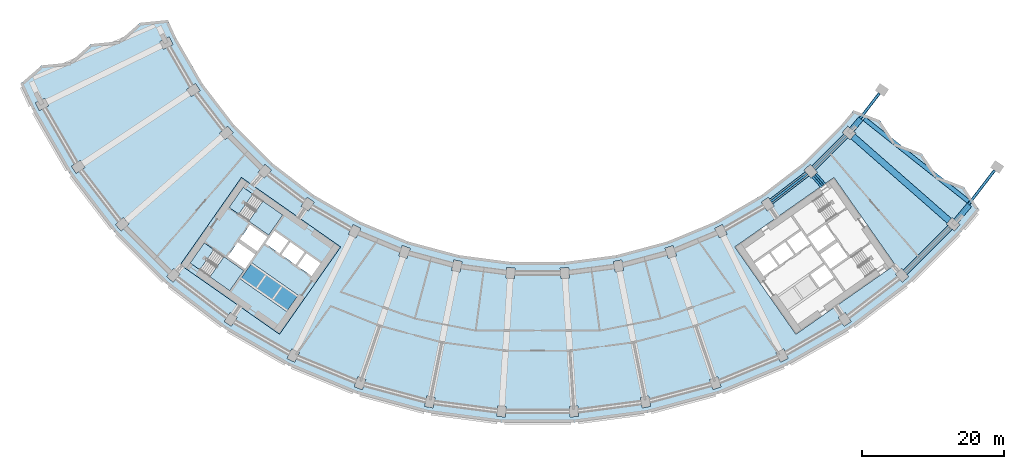
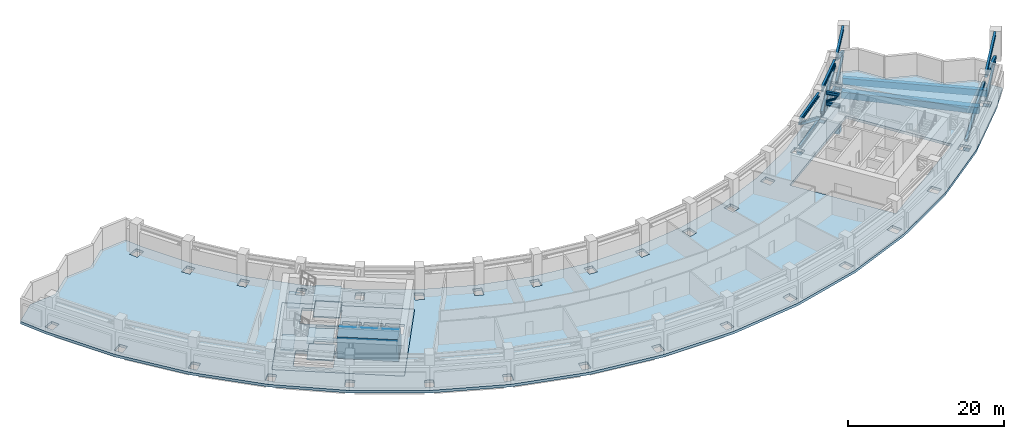
# One storey, part 4 of 25: 16 members, 9 slabs, 8 beams, 2 elements without a shape of their own.
"""IFC4 building model written with IfcOpenShell, lengths in metres."""

import ifcopenshell
import ifcopenshell.guid

model = None  # the IFC model being written
_history = None  # IfcOwnerHistory: only IFC2X3 demands one
_inside = {}  # id of a spatial element -> (the spatial element, [elements in it])
_under = {}  # id of a project, library or spatial element -> (it, [spatial elements below it])
_declared = {}  # id of a project -> (the project, [libraries it declares])
_typed = {}  # id of a type object -> (the type object, [elements of that type])
_made_of = {}  # id of a material, layer set ... -> (it, [elements and type objects made of it])


def new_model(schema):
    """Start an empty IFC model of exactly this schema.

    Asked for "IFC4X3", IfcOpenShell would pick the latest addendum, in which some entities
    have other attributes; the version numbers below select the first issue.
    IFC2X3 requires an IfcOwnerHistory on every rooted entity: one is made here for all.
    """
    global model, _history
    if schema == "IFC4X3":
        model = ifcopenshell.file(schema_version=(4, 3, 0, 0))
    else:
        model = ifcopenshell.file(schema=schema)
    _inside.clear()
    _under.clear()
    _declared.clear()
    _typed.clear()
    _made_of.clear()
    _history = None
    if model.schema == "IFC2X3":
        org = make("IfcOrganization", Name="unknown")
        user = make(
            "IfcPersonAndOrganization",
            ThePerson=make("IfcPerson", FamilyName="unknown"),
            TheOrganization=org,
        )
        app = make(
            "IfcApplication",
            ApplicationDeveloper=org,
            Version="unknown",
            ApplicationFullName="unknown",
            ApplicationIdentifier="unknown",
        )
        _history = make(
            "IfcOwnerHistory",
            OwningUser=user,
            OwningApplication=app,
            ChangeAction="ADDED",
            CreationDate=0,
        )
    return model


def make(cls, **values):
    """One entity of the class cls with the attributes given. An attribute that is None is left unset."""
    return model.create_entity(
        cls, **{name: value for name, value in values.items() if value is not None}
    )


def rooted(cls, **values):
    """An entity with a GlobalId (a new one), such as an element, a storey or a relation."""
    return make(cls, GlobalId=ifcopenshell.guid.new(), OwnerHistory=_history, **values)


def si_unit(unit_type, name, prefix=None):
    """IfcSIUnit, for example si_unit("LENGTHUNIT", "METRE", prefix="MILLI")."""
    return make("IfcSIUnit", UnitType=unit_type, Prefix=prefix, Name=name)


def assignment(units):
    """IfcUnitAssignment: the units of a project."""
    return None if units is None else make("IfcUnitAssignment", Units=units)


def point(xyz):
    """IfcCartesianPoint."""
    return None if xyz is None else make("IfcCartesianPoint", Coordinates=xyz)


def direction(xyz):
    """IfcDirection."""
    return None if xyz is None else make("IfcDirection", DirectionRatios=xyz)


def frame(location, z_axis=None, x_axis=None):
    """IfcAxis2Placement3D, a coordinate frame: its origin and axes. An axis left out is left unset."""
    return make(
        "IfcAxis2Placement3D",
        Location=point(location),
        Axis=direction(z_axis),
        RefDirection=direction(x_axis),
    )


def frame_2d(location, x_axis=None):
    """IfcAxis2Placement2D, a coordinate frame in the plane: its origin and x axis."""
    return make(
        "IfcAxis2Placement2D", Location=point(location), RefDirection=direction(x_axis)
    )


def origin():
    """The frame at (0, 0, 0) with its axes left unset."""
    return frame((0.0, 0.0, 0.0))


def origin_2d():
    """The frame at (0, 0) in the plane with its x axis left unset."""
    return frame_2d((0.0, 0.0))


def place(relative_to, where):
    """IfcLocalPlacement: puts the frame where relative to a parent placement (None: the world)."""
    return make(
        "IfcLocalPlacement", PlacementRelTo=relative_to, RelativePlacement=where
    )


def context(
    kind, dimensions, precision=None, world=None, true_north=None, identifier=None
):
    """IfcGeometricRepresentationContext, for example the 3D "Model" context."""
    return make(
        "IfcGeometricRepresentationContext",
        ContextIdentifier=identifier,
        ContextType=kind,
        CoordinateSpaceDimension=dimensions,
        Precision=precision,
        WorldCoordinateSystem=world,
        TrueNorth=true_north,
    )


def subcontext(parent, identifier, kind, view, scale=None):
    """IfcGeometricRepresentationSubContext, for example "Body" below "Model"."""
    return make(
        "IfcGeometricRepresentationSubContext",
        ContextIdentifier=identifier,
        ContextType=kind,
        ParentContext=parent,
        TargetScale=scale,
        TargetView=view,
    )


def project(units=None, contexts=None):
    """IfcProject with its units and contexts."""
    return rooted(
        "IfcProject",
        Name="project",
        RepresentationContexts=contexts,
        UnitsInContext=assignment(units),
    )


def spatial(cls, under=None, at=None, **own):
    """A site, building, storey or space (cls), placed at a placement, below another one or the project."""
    s = rooted(cls, ObjectPlacement=at, **own)
    if under is not None:
        _under.setdefault(under.id(), (under, []))[1].append(s)
    return s


def polyline(points):
    """IfcPolyline through the points."""
    return make("IfcPolyline", Points=[point(p) for p in points])


def profile(cls, at=None, kind="AREA", **sizes):
    """A parametric profile (cls). Its sizes go by their IFC names, for example OverallWidth=200.0."""
    return make(cls, ProfileType=kind, Position=at, **sizes)


def rectangle(**sizes):
    """IfcRectangleProfileDef."""
    return profile("IfcRectangleProfileDef", **sizes)


def hollow_rectangle(**sizes):
    """IfcRectangleHollowProfileDef."""
    return profile("IfcRectangleHollowProfileDef", **sizes)


def hollow_circle(**sizes):
    """IfcCircleHollowProfileDef."""
    return profile("IfcCircleHollowProfileDef", **sizes)


def i_section(**sizes):
    """IfcIShapeProfileDef."""
    return profile("IfcIShapeProfileDef", **sizes)


def outline(outer, holes=None, kind="AREA"):
    """IfcArbitraryClosedProfileDef: a profile drawn as a closed curve; with holes, ...WithVoids."""
    if holes is None:
        return make("IfcArbitraryClosedProfileDef", ProfileType=kind, OuterCurve=outer)
    return make(
        "IfcArbitraryProfileDefWithVoids",
        ProfileType=kind,
        OuterCurve=outer,
        InnerCurves=holes,
    )


def extrude(swept, where, along, depth):
    """IfcExtrudedAreaSolid: the profile swept, set in the frame where, extruded along a direction by depth."""
    return make(
        "IfcExtrudedAreaSolid",
        SweptArea=swept,
        Position=where,
        ExtrudedDirection=direction(along),
        Depth=depth,
    )


def shape(context_of_items, identifier, shape_type, items):
    """IfcShapeRepresentation: the items that make up one representation, for example the "Body"."""
    return make(
        "IfcShapeRepresentation",
        ContextOfItems=context_of_items,
        RepresentationIdentifier=identifier,
        RepresentationType=shape_type,
        Items=items,
    )


def material(Name=None, Category=None):
    """IfcMaterial."""
    return make("IfcMaterial", Name=Name, Category=Category)


def layer(
    of_material, thickness, ventilated=None, Name=None, Category=None, Priority=None
):
    """IfcMaterialLayer: one layer of a wall or slab, of a material (None: an air gap)."""
    return make(
        "IfcMaterialLayer",
        Material=of_material,
        LayerThickness=thickness,
        IsVentilated=ventilated,
        Name=Name,
        Category=Category,
        Priority=Priority,
    )


def layer_set(layers, Name=None):
    """IfcMaterialLayerSet."""
    return make("IfcMaterialLayerSet", MaterialLayers=layers, LayerSetName=Name)


def material_profile(
    of_material, cross_section, Name=None, Category=None, Priority=None
):
    """IfcMaterialProfile: a cross section and its material."""
    return make(
        "IfcMaterialProfile",
        Name=Name,
        Material=of_material,
        Profile=cross_section,
        Priority=Priority,
        Category=Category,
    )


def profile_set(profiles, Name=None, composite=None):
    """IfcMaterialProfileSet."""
    return make(
        "IfcMaterialProfileSet",
        Name=Name,
        MaterialProfiles=profiles,
        CompositeProfile=composite,
    )


def made_of(thing, what):
    """Note that an element or type object is made of a material, layer set ...; save() writes the relation."""
    if what is not None:
        _made_of.setdefault(what.id(), (what, []))[1].append(thing)
    return thing


def type_object(cls, material=None, **own):
    """A type object (cls), such as IfcWallType, which elements share."""
    return made_of(rooted(cls, **own), material)


def element(
    cls,
    number,
    at=None,
    inside=None,
    cuts=None,
    type_object=None,
    material=None,
    context=None,
    identifier="Body",
    shape_type=None,
    held_by="IfcProductDefinitionShape",
    body=None,
    shapes=None,
    **own,
):
    """One element of the class cls, such as IfcWall. Its Tag is "e" and its number.

    at: its placement. inside: the storey or other place that contains it. cuts: it is an
    opening in that element (IfcRelVoidsElement). A single representation is given by context,
    identifier, shape_type and body (its items); several are given by shapes. held_by: the class
    of the entity that holds the representations. save() writes the other relations.
    """
    e = rooted(cls, Tag="e%d" % number, ObjectPlacement=at, **own)
    if body is not None:
        shapes = [shape(context, identifier, shape_type, body)]
    if shapes is not None:
        e.Representation = make(held_by, Representations=shapes)
    if inside is not None:
        _inside.setdefault(inside.id(), (inside, []))[1].append(e)
    if cuts is not None:
        rooted(
            "IfcRelVoidsElement", RelatingBuildingElement=cuts, RelatedOpeningElement=e
        )
    if type_object is not None:
        _typed.setdefault(type_object.id(), (type_object, []))[1].append(e)
    return made_of(e, material)


def aggregate(whole, parts):
    """IfcRelAggregates: a whole, such as a stair, and the parts it consists of."""
    return rooted("IfcRelAggregates", RelatingObject=whole, RelatedObjects=parts)


def save(model, path):
    """Write the relations noted so far, then the file.

    IfcRelAggregates (storeys below a building ...), IfcRelContainedInSpatialStructure (elements
    in a storey), IfcRelDefinesByType, IfcRelAssociatesMaterial and IfcRelDeclares: one each for
    every whole, place, type object, material and project.
    """
    for whole, parts in _under.values():
        aggregate(whole, parts)
    for where, things in _inside.values():
        rooted(
            "IfcRelContainedInSpatialStructure",
            RelatedElements=things,
            RelatingStructure=where,
        )
    for kind, things in _typed.values():
        rooted("IfcRelDefinesByType", RelatedObjects=things, RelatingType=kind)
    for what, things in _made_of.values():
        rooted("IfcRelAssociatesMaterial", RelatedObjects=things, RelatingMaterial=what)
    for by, libraries in _declared.values():
        rooted("IfcRelDeclares", RelatingContext=by, RelatedDefinitions=libraries)
    model.write(path)


model = new_model("IFC4")

# Units and contexts
model_context = context("Model", 3, precision=1e-05, world=origin(), true_north=direction((0.0, 1.0)))
body_context = subcontext(model_context, "Body", "Model", "MODEL_VIEW")
ifc_project = project(units=[si_unit("LENGTHUNIT", "METRE"), si_unit("AREAUNIT", "SQUARE_METRE"), si_unit("VOLUMEUNIT", "CUBIC_METRE"), si_unit("PLANEANGLEUNIT", "RADIAN"), si_unit("MASSUNIT", "GRAM", prefix="KILO")], contexts=[model_context])

# Site, building, storey
site_placement = place(None, origin())
site = spatial("IfcSite", under=ifc_project, at=site_placement, CompositionType="ELEMENT")
building_placement = place(site_placement, origin())
building = spatial("IfcBuilding", under=site, at=building_placement, Name="Qamariyya Broadcast Tower", CompositionType="ELEMENT")
storey_placement = place(building_placement, frame((0.0, 0.0, 144.300048828125)))
storey = spatial("IfcBuildingStorey", under=building, at=storey_placement, Name="L33", CompositionType="ELEMENT", Elevation=144.300048828125)

# Members
ifc_material_1 = material(Name="Steel S355", Category="steel")
ifc_material_profile_1 = material_profile(ifc_material_1, i_section(OverallWidth=0.300048828125, OverallDepth=0.489990234375, WebThickness=0.011962890625, FlangeThickness=0.02294921875, FilletRadius=0.027099609375, at=origin_2d()))
ifc_profile_set_1 = profile_set([ifc_material_profile_1], Name="Steel S355")
member_type_1 = type_object("IfcMemberType", Name="Outrigger truss bottom chord HEA 500", PredefinedType="CHORD", material=ifc_profile_set_1)
member_1_placement = place(storey_placement, frame((38.91455078125, -44.37353515625, 2.744873046875), z_axis=(0.659333197342, -0.751850872769, 0.0), x_axis=(0.751850872769, 0.659333197342, 0.0)))
element("IfcMember", 1, at=member_1_placement, inside=storey, type_object=member_type_1, Name="Outrigger truss bottom chord T9 L33 R16", PredefinedType="CHORD", context=body_context, shape_type="SweptSolid", body=[
    extrude(i_section(OverallWidth=0.300048828125, OverallDepth=0.489990234375, WebThickness=0.011962890625, FlangeThickness=0.02294921875, FilletRadius=0.027099609375, at=origin_2d()), origin(), (0.0, 0.0, 1.0), 1.897216796875),
])
ifc_material_profile_2 = material_profile(ifc_material_1, hollow_circle(Radius=0.161865234375, WallThickness=0.012451171875, at=origin_2d()))
ifc_profile_set_2 = profile_set([ifc_material_profile_2], Name="Steel S355")
member_type_2 = type_object("IfcMemberType", Name="Outrigger truss diagonal CHS 323.9x12.5", PredefinedType="BRACE", material=ifc_profile_set_2)
member_2_placement = place(storey_placement, frame((38.966552734375, -44.4326171875, 3.132568359375), z_axis=(0.580784538514, -0.662358872504, 0.473254734618), x_axis=(0.751889664657, 0.659288959549, 0.0)))
element("IfcMember", 2, at=member_2_placement, inside=storey, type_object=member_type_2, Name="Outrigger truss diagonal T17 L33 R16", PredefinedType="BRACE", context=body_context, shape_type="SweptSolid", body=[
    extrude(hollow_circle(Radius=0.161865234375, WallThickness=0.012451171875, at=origin_2d()), origin(), (0.0, 0.0, 1.0), 1.975341796875),
])
ifc_material_profile_3 = material_profile(ifc_material_1, i_section(OverallWidth=0.300048828125, OverallDepth=0.489990234375, WebThickness=0.011962890625, FlangeThickness=0.02294921875, FilletRadius=0.027099609375, at=origin_2d()))
ifc_profile_set_3 = profile_set([ifc_material_profile_3], Name="Steel S355")
member_type_3 = type_object("IfcMemberType", Name="Outrigger truss top chord HEA 500", PredefinedType="CHORD", material=ifc_profile_set_3)
member_3_placement = place(storey_placement, frame((38.91455078125, -44.37353515625, 4.454833984375), z_axis=(0.659333197342, -0.751850872769, 0.0), x_axis=(0.751850872769, 0.659333197342, 0.0)))
element("IfcMember", 3, at=member_3_placement, inside=storey, type_object=member_type_3, Name="Outrigger truss top chord T8 L33 R16", PredefinedType="CHORD", context=body_context, shape_type="SweptSolid", body=[
    extrude(i_section(OverallWidth=0.300048828125, OverallDepth=0.489990234375, WebThickness=0.011962890625, FlangeThickness=0.02294921875, FilletRadius=0.027099609375, at=origin_2d()), origin(), (0.0, 0.0, 1.0), 1.897216796875),
])

# Beams
ifc_material_2 = material(Name="Concrete C50/60", Category="concrete")
ifc_material_profile_4 = material_profile(ifc_material_2, rectangle(XDim=0.800048828125, YDim=1.0, at=origin_2d()))
ifc_profile_set_4 = profile_set([ifc_material_profile_4], Name="Concrete C50/60")
beam_type_1 = type_object("IfcBeamType", Name="RC edge beam 800 x 1000 C50/60", PredefinedType="SPANDREL", material=ifc_profile_set_4)
beam_1_placement = place(storey_placement, frame((32.839111328125, -48.067138671875, -0.900146484375), z_axis=(0.793340520906, 0.608778135192, 0.0), x_axis=(-0.608778135192, 0.793340520906, 0.0)))
element("IfcBeam", 4, at=beam_1_placement, inside=storey, type_object=beam_type_1, Name="Edge beam B10 L33 B R15-R16", PredefinedType="SPANDREL", context=body_context, shape_type="SweptSolid", body=[
    extrude(rectangle(XDim=0.800048828125, YDim=1.0, at=origin_2d()), origin(), (0.0, 0.0, 1.0), 6.4169921875),
])
beam_2_placement = place(storey_placement, frame((38.83203125, -43.369384765625, -0.900146484375), z_axis=(0.707106781187, 0.707106781187, 0.0), x_axis=(-0.707106781187, 0.707106781187, 0.0)))
element("IfcBeam", 5, at=beam_2_placement, inside=storey, type_object=beam_type_1, Name="Edge beam B10 L33 B R16-R17", PredefinedType="SPANDREL", context=body_context, shape_type="SweptSolid", body=[
    extrude(rectangle(XDim=0.800048828125, YDim=1.0, at=origin_2d()), origin(), (0.0, 0.0, 1.0), 6.416748046875),
])
beam_3_placement = place(storey_placement, frame((51.689208984375, -58.0302734375, -0.900146484375), z_axis=(0.707106781187, 0.707106781187, 0.0), x_axis=(-0.707106781187, 0.707106781187, 0.0)))
element("IfcBeam", 6, at=beam_3_placement, inside=storey, type_object=beam_type_1, Name="Edge beam B10 L33 C R16-R17", PredefinedType="SPANDREL", context=body_context, shape_type="SweptSolid", body=[
    extrude(rectangle(XDim=0.800048828125, YDim=1.0, at=origin_2d()), origin(), (0.0, 0.0, 1.0), 8.967529296875),
])
ifc_material_profile_5 = material_profile(ifc_material_2, rectangle(XDim=0.800048828125, YDim=1.0, at=origin_2d()))
ifc_profile_set_5 = profile_set([ifc_material_profile_5], Name="Concrete C50/60")
beam_type_2 = type_object("IfcBeamType", Name="RC horn beam 800 x 1000 C50/60", PredefinedType="BEAM", material=ifc_profile_set_5)
beam_4_placement = place(storey_placement, frame((44.17919921875, -37.946044921875, -0.900146484375), z_axis=(0.640425719388, 0.768020115587, 0.0), x_axis=(-0.768020115587, 0.640425719388, 0.0)))
element("IfcBeam", 7, at=beam_4_placement, inside=storey, type_object=beam_type_2, Name="Horn beam B11 L33 E B-R17", PredefinedType="BEAM", context=body_context, shape_type="SweptSolid", body=[
    extrude(rectangle(XDim=0.800048828125, YDim=1.0, at=origin_2d()), origin(), (0.0, 0.0, 1.0), 1.989990234375),
])
beam_5_placement = place(storey_placement, frame((58.83984375, -50.80322265625, -0.900146484375), z_axis=(0.640501010295, 0.767957326817, 0.0), x_axis=(-0.767957326817, 0.640501010295, 0.0)))
element("IfcBeam", 8, at=beam_5_placement, inside=storey, type_object=beam_type_2, Name="Horn beam B11 L33 E C-R17", PredefinedType="BEAM", context=body_context, shape_type="SweptSolid", body=[
    extrude(rectangle(XDim=0.800048828125, YDim=1.0, at=origin_2d()), origin(), (0.0, 0.0, 1.0), 2.95751953125),
])
ifc_material_profile_6 = material_profile(ifc_material_2, rectangle(XDim=0.60009765625, YDim=1.0, at=origin_2d()))
ifc_profile_set_6 = profile_set([ifc_material_profile_6], Name="Concrete C50/60")
beam_type_3 = type_object("IfcBeamType", Name="RC horn cap beam 600 x 1000 C50/60", PredefinedType="BEAM", material=ifc_profile_set_6)
beam_6_placement = place(storey_placement, frame((45.959228515625, -36.435791015625, -0.900146484375), z_axis=(0.783611202233, -0.621251546263, 0.0), x_axis=(0.621251546263, 0.783611202233, 0.0)))
element("IfcBeam", 9, at=beam_6_placement, inside=storey, type_object=beam_type_3, Name="Horn cap beam B12 L33 E B-C", PredefinedType="BEAM", context=body_context, shape_type="SweptSolid", body=[
    extrude(rectangle(XDim=0.60009765625, YDim=1.0, at=origin_2d()), origin(), (0.0, 0.0, 1.0), 18.699951171875),
])
ifc_material_profile_7 = material_profile(ifc_material_2, rectangle(XDim=0.89990234375, YDim=1.0, at=origin_2d()))
ifc_profile_set_7 = profile_set([ifc_material_profile_7], Name="Concrete C50/60")
beam_type_4 = type_object("IfcBeamType", Name="RC radial beam 900 x 1000 C50/60", PredefinedType="BEAM", material=ifc_profile_set_7)
beam_7_placement = place(storey_placement, frame((38.9013671875, -44.358642578125, -0.900146484375), z_axis=(0.659376140982, -0.751813211312, 0.0), x_axis=(0.751813211312, 0.659376140982, 0.0)))
element("IfcBeam", 10, at=beam_7_placement, inside=storey, type_object=beam_type_4, Name="Radial beam B9 L33 R16 B-C", PredefinedType="BEAM", context=body_context, shape_type="SweptSolid", body=[
    extrude(rectangle(XDim=0.89990234375, YDim=1.0, at=origin_2d()), origin(), (0.0, 0.0, 1.0), 1.96240234375),
])
beam_8_placement = place(storey_placement, frame((44.358642578125, -38.9013671875, -0.900146484375), z_axis=(0.751837671483, -0.659348250729, 0.0), x_axis=(0.659348250729, 0.751837671483, 0.0)))
element("IfcBeam", 11, at=beam_8_placement, inside=storey, type_object=beam_type_4, Name="Radial beam B9 L33 R17 B-C", PredefinedType="BEAM", context=body_context, shape_type="SweptSolid", body=[
    extrude(rectangle(XDim=0.89990234375, YDim=1.0, at=origin_2d()), origin(), (0.0, 0.0, 1.0), 17.999755859375),
])

# Members
ifc_material_profile_8 = material_profile(ifc_material_1, i_section(OverallWidth=0.305908203125, OverallDepth=0.52392578125, WebThickness=0.02099609375, FlangeThickness=0.0400390625, FilletRadius=0.027099609375, at=origin_2d()))
ifc_profile_set_8 = profile_set([ifc_material_profile_8], Name="Steel S355")
member_type_4 = type_object("IfcMemberType", Name="Transfer truss bottom chord HEM 500", PredefinedType="CHORD", material=ifc_profile_set_8)
member_4_placement = place(storey_placement, frame((32.839111328125, -48.067138671875, 0.261962890625), z_axis=(0.793340520906, 0.608778135192, 0.0), x_axis=(-0.608778135192, 0.793340520906, 0.0)))
element("IfcMember", 12, at=member_4_placement, inside=storey, type_object=member_type_4, Name="Transfer truss bottom chord T15 L33 B-R15", PredefinedType="CHORD", context=body_context, shape_type="SweptSolid", body=[
    extrude(i_section(OverallWidth=0.305908203125, OverallDepth=0.52392578125, WebThickness=0.02099609375, FlangeThickness=0.0400390625, FilletRadius=0.027099609375, at=origin_2d()), origin(), (0.0, 0.0, 1.0), 6.4169921875),
])
member_5_placement = place(storey_placement, frame((38.83203125, -43.369384765625, 0.261962890625), z_axis=(0.707106781187, 0.707106781187, 0.0), x_axis=(-0.707106781187, 0.707106781187, 0.0)))
element("IfcMember", 13, at=member_5_placement, inside=storey, type_object=member_type_4, Name="Transfer truss bottom chord T15 L33 B-R16", PredefinedType="CHORD", context=body_context, shape_type="SweptSolid", body=[
    extrude(i_section(OverallWidth=0.305908203125, OverallDepth=0.52392578125, WebThickness=0.02099609375, FlangeThickness=0.0400390625, FilletRadius=0.027099609375, at=origin_2d()), origin(), (0.0, 0.0, 1.0), 6.416748046875),
])
member_6_placement = place(storey_placement, frame((44.16064453125, -37.929931640625, 0.261962890625), z_axis=(0.608778135192, 0.793340520906, 0.0), x_axis=(-0.793340520906, 0.608778135192, 0.0)))
element("IfcMember", 14, at=member_6_placement, inside=storey, type_object=member_type_4, Name="Transfer truss bottom chord T15 L33 B-R17", PredefinedType="CHORD", context=body_context, shape_type="SweptSolid", body=[
    extrude(i_section(OverallWidth=0.305908203125, OverallDepth=0.52392578125, WebThickness=0.02099609375, FlangeThickness=0.0400390625, FilletRadius=0.027099609375, at=origin_2d()), origin(), (0.0, 0.0, 1.0), 6.4169921875),
])
member_7_placement = place(storey_placement, frame((58.821533203125, -50.787109375, 0.261962890625), z_axis=(0.608766985019, 0.793349076984, 0.0), x_axis=(-0.793349076984, 0.608766985019, 0.0)))
element("IfcMember", 15, at=member_7_placement, inside=storey, type_object=member_type_4, Name="Transfer truss bottom chord T15 L33 C-R17", PredefinedType="CHORD", context=body_context, shape_type="SweptSolid", body=[
    extrude(i_section(OverallWidth=0.305908203125, OverallDepth=0.52392578125, WebThickness=0.02099609375, FlangeThickness=0.0400390625, FilletRadius=0.027099609375, at=origin_2d()), origin(), (0.0, 0.0, 1.0), 8.9677734375),
])
ifc_material_profile_9 = material_profile(ifc_material_1, hollow_rectangle(XDim=0.39990234375, YDim=0.39990234375, WallThickness=0.01611328125, InnerFilletRadius=0.01611328125, OuterFilletRadius=0.031982421875, at=origin_2d()))
ifc_profile_set_9 = profile_set([ifc_material_profile_9], Name="Steel S355")
member_type_5 = type_object("IfcMemberType", Name="Transfer truss diagonal RHS 400x400x16", PredefinedType="BRACE", material=ifc_profile_set_9)
for number, where, z_axis, x_axis, name in (
    (16, (32.9130859375, -48.01025390625, 3.902099609375), (0.705689514736, 0.54151082299, -0.456911739154), (-0.608772901237, 0.793344537209, 0.0), "Transfer truss diagonal T16 L33 B-R15"),
    (17, (38.898193359375, -43.303466796875, 0.701904296875), (0.628977534835, 0.628977534835, 0.456918506241), (-0.707106781187, 0.707106781187, 0.0), "Transfer truss diagonal T16 L33 B-R16"),
    (18, (44.217529296875, -37.855712890625, 3.902099609375), (0.54151082299, 0.705689514736, -0.456911739154), (-0.793344537209, 0.608772901237, 0.0), "Transfer truss diagonal T16 L33 B-R17"),
):
    element("IfcMember", number, at=place(storey_placement, frame(where, z_axis=z_axis, x_axis=x_axis)), inside=storey, type_object=member_type_5, Name=name, PredefinedType="BRACE", context=body_context, shape_type="SweptSolid", body=[
        extrude(hollow_rectangle(XDim=0.39990234375, YDim=0.39990234375, WallThickness=0.01611328125, InnerFilletRadius=0.01611328125, OuterFilletRadius=0.031982421875, at=origin_2d()), origin(), (0.0, 0.0, 1.0), 7.00390625),
    ])
member_8_placement = place(storey_placement, frame((51.73876953125, -57.98095703125, 0.712158203125), z_axis=(0.665267403766, 0.665267403766, 0.338878389653), x_axis=(-0.707106781187, 0.707106781187, 0.0)))
element("IfcMember", 19, at=member_8_placement, inside=storey, type_object=member_type_5, Name="Transfer truss diagonal T16 L33 C-R16", PredefinedType="BRACE", context=body_context, shape_type="SweptSolid", body=[
    extrude(hollow_rectangle(XDim=0.39990234375, YDim=0.39990234375, WallThickness=0.01611328125, InnerFilletRadius=0.01611328125, OuterFilletRadius=0.031982421875, at=origin_2d()), origin(), (0.0, 0.0, 1.0), 9.383056640625),
])
member_9_placement = place(storey_placement, frame((58.864013671875, -50.731689453125, 3.891845703125), z_axis=(0.572754222049, 0.746404414115, -0.338870257937), x_axis=(-0.793344114972, 0.60877345149, 0.0)))
element("IfcMember", 20, at=member_9_placement, inside=storey, type_object=member_type_5, Name="Transfer truss diagonal T16 L33 C-R17", PredefinedType="BRACE", context=body_context, shape_type="SweptSolid", body=[
    extrude(hollow_rectangle(XDim=0.39990234375, YDim=0.39990234375, WallThickness=0.01611328125, InnerFilletRadius=0.01611328125, OuterFilletRadius=0.031982421875, at=origin_2d()), origin(), (0.0, 0.0, 1.0), 9.38330078125),
])
ifc_material_profile_10 = material_profile(ifc_material_1, i_section(OverallWidth=0.304931640625, OverallDepth=0.6201171875, WebThickness=0.02099609375, FlangeThickness=0.0400390625, FilletRadius=0.027099609375, at=origin_2d()))
ifc_profile_set_10 = profile_set([ifc_material_profile_10], Name="Steel S355")
member_type_6 = type_object("IfcMemberType", Name="Transfer truss top chord HEM 600", PredefinedType="CHORD", material=ifc_profile_set_10)
member_10_placement = place(storey_placement, frame((32.839111328125, -48.067138671875, 4.389892578125), z_axis=(0.793340520906, 0.608778135192, 0.0), x_axis=(-0.608778135192, 0.793340520906, 0.0)))
element("IfcMember", 21, at=member_10_placement, inside=storey, type_object=member_type_6, Name="Transfer truss top chord T14 L33 B-R15", PredefinedType="CHORD", context=body_context, shape_type="SweptSolid", body=[
    extrude(i_section(OverallWidth=0.304931640625, OverallDepth=0.6201171875, WebThickness=0.02099609375, FlangeThickness=0.0400390625, FilletRadius=0.027099609375, at=origin_2d()), origin(), (0.0, 0.0, 1.0), 6.4169921875),
])
member_11_placement = place(storey_placement, frame((38.83203125, -43.369384765625, 4.389892578125), z_axis=(0.707106781187, 0.707106781187, 0.0), x_axis=(-0.707106781187, 0.707106781187, 0.0)))
element("IfcMember", 22, at=member_11_placement, inside=storey, type_object=member_type_6, Name="Transfer truss top chord T14 L33 B-R16", PredefinedType="CHORD", context=body_context, shape_type="SweptSolid", body=[
    extrude(i_section(OverallWidth=0.304931640625, OverallDepth=0.6201171875, WebThickness=0.02099609375, FlangeThickness=0.0400390625, FilletRadius=0.027099609375, at=origin_2d()), origin(), (0.0, 0.0, 1.0), 6.416748046875),
])
member_12_placement = place(storey_placement, frame((44.16064453125, -37.929931640625, 4.389892578125), z_axis=(0.608778135192, 0.793340520906, 0.0), x_axis=(-0.793340520906, 0.608778135192, 0.0)))
element("IfcMember", 23, at=member_12_placement, inside=storey, type_object=member_type_6, Name="Transfer truss top chord T14 L33 B-R17", PredefinedType="CHORD", context=body_context, shape_type="SweptSolid", body=[
    extrude(i_section(OverallWidth=0.304931640625, OverallDepth=0.6201171875, WebThickness=0.02099609375, FlangeThickness=0.0400390625, FilletRadius=0.027099609375, at=origin_2d()), origin(), (0.0, 0.0, 1.0), 6.4169921875),
])
member_13_placement = place(storey_placement, frame((58.821533203125, -50.787109375, 4.389892578125), z_axis=(0.608766985019, 0.793349076984, 0.0), x_axis=(-0.793349076984, 0.608766985019, 0.0)))
element("IfcMember", 24, at=member_13_placement, inside=storey, type_object=member_type_6, Name="Transfer truss top chord T14 L33 C-R17", PredefinedType="CHORD", context=body_context, shape_type="SweptSolid", body=[
    extrude(i_section(OverallWidth=0.304931640625, OverallDepth=0.6201171875, WebThickness=0.02099609375, FlangeThickness=0.0400390625, FilletRadius=0.027099609375, at=origin_2d()), origin(), (0.0, 0.0, 1.0), 8.9677734375),
])

# Slabs
ifc_material_3 = material(Name="Concrete C40/50", Category="concrete")
ifc_layer_1 = layer(ifc_material_3, 0.39990234375)
ifc_layer_set_1 = layer_set([ifc_layer_1], Name="Core floor slab 400 mm Concrete C40/50")
slab_type_1 = type_object("IfcSlabType", Name="Core floor slab 400 mm Concrete C40/50", PredefinedType="FLOOR", material=ifc_layer_set_1)
slab_1_placement = place(storey_placement, frame((0.0, 0.0, -0.400146484375)))
element("IfcSlab", 25, at=slab_1_placement, inside=storey, type_object=slab_type_1, Name="k-W-L33-slab", PredefinedType="FLOOR", context=body_context, shape_type="SweptSolid", body=[
    extrude(outline(polyline([(-50.286376953125, -56.95751953125), (-36.32373046875, -66.734375), (-27.719970703125, -54.447021484375), (-41.6826171875, -44.67041015625), (-50.286376953125, -56.95751953125)]), holes=[polyline([(-31.80859375, -58.542724609375), (-33.8154296875, -57.137451171875), (-32.5537109375, -55.335205078125), (-30.546630859375, -56.740478515625), (-31.80859375, -58.542724609375)]), polyline([(-34.061279296875, -56.96533203125), (-36.068115234375, -55.56005859375), (-34.806396484375, -53.758056640625), (-32.79931640625, -55.163330078125), (-34.061279296875, -56.96533203125)]), polyline([(-36.31396484375, -55.387939453125), (-38.32080078125, -53.982666015625), (-37.058837890625, -52.1806640625), (-35.052001953125, -53.5859375), (-36.31396484375, -55.387939453125)]), polyline([(-39.742431640625, -55.489990234375), (-42.199951171875, -53.769287109375), (-43.6337890625, -55.817138671875), (-41.17626953125, -57.537841796875), (-39.742431640625, -55.489990234375)]), polyline([(-39.45556640625, -55.080322265625), (-41.9130859375, -53.359619140625), (-40.47900390625, -51.311767578125), (-38.021728515625, -53.032470703125), (-39.45556640625, -55.080322265625)]), polyline([(-42.06103515625, -49.837890625), (-37.849609375, -52.78662109375), (-35.870849609375, -49.960693359375), (-40.082275390625, -47.01171875), (-42.06103515625, -49.837890625)]), polyline([(-47.538818359375, -57.66064453125), (-43.3271484375, -60.609619140625), (-41.348388671875, -57.783447265625), (-45.559814453125, -54.834716796875), (-47.538818359375, -57.66064453125)])]), origin(), (0.0, 0.0, 1.0), 0.400146484375),
])
ifc_layer_2 = layer(ifc_material_3, 3.39990234375)
ifc_layer_set_2 = layer_set([ifc_layer_2], Name="Lift plinth slab 3400 mm Concrete C40/50")
slab_type_2 = type_object("IfcSlabType", Name="Lift plinth slab 3400 mm Concrete C40/50", PredefinedType="BASESLAB", material=ifc_layer_set_2)
slab_2_placement = place(storey_placement, origin())
element("IfcSlab", 26, at=slab_2_placement, inside=storey, type_object=slab_type_2, Name="k-W-L33-SPB0", PredefinedType="BASESLAB", context=body_context, shape_type="SweptSolid", body=[
    extrude(outline(polyline([(-33.701416015625, -61.245849609375), (-40.213623046875, -56.68603515625), (-41.819580078125, -58.9794921875), (-35.307373046875, -63.53955078125), (-33.701416015625, -61.245849609375)])), origin(), (0.0, 0.0, 1.0), 3.39990234375),
])
ifc_layer_3 = layer(ifc_material_3, 0.39990234375)
ifc_layer_set_3 = layer_set([ifc_layer_3], Name="Post-tensioned floor slab 400 C40/50")
slab_type_3 = type_object("IfcSlabType", Name="Post-tensioned floor slab 400 C40/50", PredefinedType="FLOOR", material=ifc_layer_set_3)
slab_3_placement = place(storey_placement, frame((0.0, 0.0, -0.400146484375)))
element("IfcSlab", 27, at=slab_3_placement, inside=storey, type_object=slab_type_3, Name="Floor slab S3 L33", PredefinedType="FLOOR", context=body_context, shape_type="SweptSolid", body=[
    extrude(outline(polyline([(-69.785400390625, -28.9013671875), (-72.774169921875, -31.502685546875), (-71.1220703125, -35.073486328125), (-65.935546875, -44.056640625), (-59.620849609375, -52.2861328125), (-52.2861328125, -59.620849609375), (-44.056640625, -65.935546875), (-35.073486328125, -71.1220703125), (-25.490234375, -75.091552734375), (-15.470703125, -77.7763671875), (-5.1865234375, -79.130126953125), (5.1865234375, -79.130126953125), (15.470703125, -77.7763671875), (25.490234375, -75.091552734375), (35.073486328125, -71.1220703125), (44.056640625, -65.935546875), (52.2861328125, -59.620849609375), (59.620849609375, -52.2861328125), (62.140869140625, -49.2646484375), (59.92724609375, -45.978271484375), (56.237548828125, -44.58447265625), (54.023193359375, -41.297607421875), (50.33447265625, -39.904541015625), (48.118896484375, -36.61669921875), (44.43115234375, -35.224365234375), (42.62939453125, -37.385009765625), (37.385009765625, -42.62939453125), (31.500732421875, -47.144287109375), (25.077880859375, -50.852783203125), (18.2255859375, -53.69091796875), (11.0615234375, -55.610595703125), (3.708251953125, -56.57861328125), (-3.708251953125, -56.57861328125), (-11.0615234375, -55.610595703125), (-18.2255859375, -53.69091796875), (-25.077880859375, -50.852783203125), (-31.500732421875, -47.144287109375), (-37.385009765625, -42.62939453125), (-42.62939453125, -37.385009765625), (-47.144287109375, -31.500732421875), (-50.852783203125, -25.077880859375), (-52.033935546875, -22.524658203125), (-55.956298828125, -22.9150390625), (-58.947265625, -25.517333984375), (-62.87109375, -25.908203125), (-65.86083984375, -28.510009765625), (-69.785400390625, -28.9013671875)]), holes=[polyline([(-5.73291015625, -78.292724609375), (-5.634765625, -76.7958984375), (-4.437255859375, -76.874267578125), (-4.535400390625, -78.37109375), (-5.73291015625, -78.292724609375)]), polyline([(-15.903076171875, -76.87451171875), (-15.6103515625, -75.4033203125), (-14.43359375, -75.637451171875), (-14.72607421875, -77.108642578125), (-15.903076171875, -76.87451171875)]), polyline([(-25.80126953125, -74.14111328125), (-25.319091796875, -72.720703125), (-24.1826171875, -73.1064453125), (-24.664794921875, -74.52685546875), (-25.80126953125, -74.14111328125)]), polyline([(-35.2578125, -70.13916015625), (-34.59423828125, -68.7939453125), (-33.51806640625, -69.324462890625), (-34.181640625, -70.669921875), (-35.2578125, -70.13916015625)]), polyline([(-44.111083984375, -64.93701171875), (-43.27783203125, -63.689697265625), (-42.280029296875, -64.3564453125), (-43.11328125, -65.603759765625), (-44.111083984375, -64.93701171875)]), polyline([(-52.209716796875, -58.623779296875), (-51.220703125, -57.49609375), (-50.318603515625, -58.287353515625), (-51.3076171875, -59.4150390625), (-52.209716796875, -58.623779296875)]), polyline([(-12.098876953125, -57.749267578125), (-11.80615234375, -56.278076171875), (-10.629150390625, -56.51220703125), (-10.921875, -57.9833984375), (-12.098876953125, -57.749267578125)]), polyline([(-41.6826171875, -44.67041015625), (-27.719970703125, -54.447021484375), (-36.32373046875, -66.734375), (-50.286376953125, -56.95751953125), (-41.6826171875, -44.67041015625)]), polyline([(-19.051025390625, -54.255615234375), (-17.91455078125, -54.641357421875), (-18.396728515625, -56.061767578125), (-19.533203125, -55.676025390625), (-19.051025390625, -54.255615234375)]), polyline([(-26.633056640625, -52.650146484375), (-25.9697265625, -51.3046875), (-24.8935546875, -51.83544921875), (-25.556884765625, -53.180908203125), (-26.633056640625, -52.650146484375)]), polyline([(-59.4150390625, -51.3076171875), (-58.287353515625, -50.318603515625), (-57.49609375, -51.220703125), (-58.623779296875, -52.209716796875), (-59.4150390625, -51.3076171875)]), polyline([(-33.277587890625, -48.723388671875), (-32.444091796875, -47.47607421875), (-31.4462890625, -48.142822265625), (-32.27978515625, -49.39013671875), (-33.277587890625, -48.723388671875)]), polyline([(-39.3525390625, -43.962890625), (-38.363525390625, -42.835205078125), (-37.461181640625, -43.62646484375), (-38.4501953125, -44.754150390625), (-39.3525390625, -43.962890625)]), polyline([(-65.603759765625, -43.11328125), (-64.3564453125, -42.280029296875), (-63.689697265625, -43.27783203125), (-64.93701171875, -44.111083984375), (-65.603759765625, -43.11328125)]), polyline([(-44.754150390625, -38.4501953125), (-43.62646484375, -37.461181640625), (-42.835205078125, -38.363525390625), (-43.962890625, -39.3525390625), (-44.754150390625, -38.4501953125)]), polyline([(-70.669921875, -34.181640625), (-69.324462890625, -33.51806640625), (-68.7939453125, -34.59423828125), (-70.13916015625, -35.2578125), (-70.669921875, -34.181640625)]), polyline([(-48.142822265625, -31.4462890625), (-47.47607421875, -32.444091796875), (-48.723388671875, -33.277587890625), (-49.39013671875, -32.27978515625), (-48.142822265625, -31.4462890625)]), polyline([(-51.83544921875, -24.8935546875), (-51.3046875, -25.9697265625), (-52.650146484375, -26.633056640625), (-53.180908203125, -25.556884765625), (-51.83544921875, -24.8935546875)]), polyline([(4.535400390625, -78.37109375), (4.437255859375, -76.874267578125), (5.634765625, -76.7958984375), (5.73291015625, -78.292724609375), (4.535400390625, -78.37109375)]), polyline([(14.72607421875, -77.108642578125), (14.43359375, -75.637451171875), (15.6103515625, -75.4033203125), (15.903076171875, -76.87451171875), (14.72607421875, -77.108642578125)]), polyline([(24.664794921875, -74.52685546875), (24.1826171875, -73.1064453125), (25.319091796875, -72.720703125), (25.80126953125, -74.14111328125), (24.664794921875, -74.52685546875)]), polyline([(34.181640625, -70.669921875), (33.51806640625, -69.324462890625), (34.59423828125, -68.7939453125), (35.2578125, -70.13916015625), (34.181640625, -70.669921875)]), polyline([(43.11328125, -65.603759765625), (42.280029296875, -64.3564453125), (43.27783203125, -63.689697265625), (44.111083984375, -64.93701171875), (43.11328125, -65.603759765625)]), polyline([(51.3076171875, -59.4150390625), (50.318603515625, -58.287353515625), (51.220703125, -57.49609375), (52.209716796875, -58.623779296875), (51.3076171875, -59.4150390625)]), polyline([(3.260009765625, -58.912841796875), (3.161865234375, -57.416015625), (4.359375, -57.337646484375), (4.45751953125, -58.83447265625), (3.260009765625, -58.912841796875)]), polyline([(-4.359375, -57.337646484375), (-3.161865234375, -57.416015625), (-3.260009765625, -58.912841796875), (-4.45751953125, -58.83447265625), (-4.359375, -57.337646484375)]), polyline([(10.629150390625, -56.51220703125), (11.80615234375, -56.278076171875), (12.098876953125, -57.749267578125), (10.921875, -57.9833984375), (10.629150390625, -56.51220703125)]), polyline([(36.32373046875, -66.734375), (27.719970703125, -54.447021484375), (41.6826171875, -44.67041015625), (50.286376953125, -56.95751953125), (36.32373046875, -66.734375)]), polyline([(18.396728515625, -56.061767578125), (17.91455078125, -54.641357421875), (19.051025390625, -54.255615234375), (19.533203125, -55.676025390625), (18.396728515625, -56.061767578125)]), polyline([(25.556884765625, -53.180908203125), (24.8935546875, -51.83544921875), (25.9697265625, -51.3046875), (26.633056640625, -52.650146484375), (25.556884765625, -53.180908203125)]), polyline([(58.623779296875, -52.209716796875), (57.49609375, -51.220703125), (58.287353515625, -50.318603515625), (59.4150390625, -51.3076171875), (58.623779296875, -52.209716796875)]), polyline([(32.27978515625, -49.39013671875), (31.4462890625, -48.142822265625), (32.444091796875, -47.47607421875), (33.277587890625, -48.723388671875), (32.27978515625, -49.39013671875)]), polyline([(38.4501953125, -44.754150390625), (37.461181640625, -43.62646484375), (38.363525390625, -42.835205078125), (39.3525390625, -43.962890625), (38.4501953125, -44.754150390625)]), polyline([(42.835205078125, -38.363525390625), (43.62646484375, -37.461181640625), (44.754150390625, -38.4501953125), (43.962890625, -39.3525390625), (42.835205078125, -38.363525390625)])]), origin(), (0.0, 0.0, 1.0), 0.400146484375),
])

# Stair, slabs
stair_type = type_object("IfcStairType", Name="Exit stair 28 risers of 179 mm", PredefinedType="HALF_TURN_STAIR", material=ifc_material_2)
stair_1_placement = place(storey_placement, origin())
stair_1 = element("IfcStair", 28, at=stair_1_placement, inside=storey, type_object=stair_type, Name="L33 Stair W2", PredefinedType="HALF_TURN_STAIR")
ifc_layer_4 = layer(ifc_material_2, 0.199951171875)
ifc_layer_set_4 = layer_set([ifc_layer_4], Name="Stair landing")
slab_type_4 = type_object("IfcSlabType", Name="Stair landing", PredefinedType="LANDING", material=ifc_layer_set_4)
slab_4_placement = place(storey_placement, frame((0.0, 0.0, 1.050048828125)))
slab_4 = element("IfcSlab", 29, at=slab_4_placement, type_object=slab_type_4, Name="ST-W2 landing 1", PredefinedType="LANDING", context=body_context, shape_type="SweptSolid", body=[
    extrude(outline(polyline([(-40.642333984375, -50.831298828125), (-37.849609375, -52.78662109375), (-35.870849609375, -49.960693359375), (-38.66357421875, -48.005126953125), (-40.642333984375, -50.831298828125)])), origin(), (0.0, 0.0, 1.0), 0.199951171875),
])
slab_5_placement = place(storey_placement, frame((0.0, 0.0, 2.300048828125)))
slab_5 = element("IfcSlab", 30, at=slab_5_placement, type_object=slab_type_4, Name="ST-W2 landing 2", PredefinedType="LANDING", context=body_context, shape_type="SweptSolid", body=[
    extrude(outline(polyline([(-43.416015625, -48.88916015625), (-42.06103515625, -49.837890625), (-40.082275390625, -47.01171875), (-41.437255859375, -46.06298828125), (-43.416015625, -48.88916015625)])), origin(), (0.0, 0.0, 1.0), 0.199951171875),
])
slab_6_placement = place(storey_placement, frame((0.0, 0.0, 3.550048828125)))
slab_6 = element("IfcSlab", 31, at=slab_6_placement, type_object=slab_type_4, Name="ST-W2 landing 3", PredefinedType="LANDING", context=body_context, shape_type="SweptSolid", body=[
    extrude(outline(polyline([(-40.642333984375, -50.831298828125), (-37.849609375, -52.78662109375), (-35.870849609375, -49.960693359375), (-38.66357421875, -48.005126953125), (-40.642333984375, -50.831298828125)])), origin(), (0.0, 0.0, 1.0), 0.199951171875),
])
aggregate(stair_1, [slab_4, slab_5, slab_6])

stair_2_placement = place(storey_placement, origin())
stair_2 = element("IfcStair", 32, at=stair_2_placement, inside=storey, type_object=stair_type, Name="L33 Stair W1", PredefinedType="HALF_TURN_STAIR")
slab_7_placement = place(storey_placement, frame((0.0, 0.0, 1.050048828125)))
slab_7 = element("IfcSlab", 33, at=slab_7_placement, type_object=slab_type_4, Name="ST-W1 landing 1", PredefinedType="LANDING", context=body_context, shape_type="SweptSolid", body=[
    extrude(outline(polyline([(-46.1201171875, -58.654052734375), (-43.3271484375, -60.609619140625), (-41.348388671875, -57.783447265625), (-44.14111328125, -55.828125), (-46.1201171875, -58.654052734375)])), origin(), (0.0, 0.0, 1.0), 0.199951171875),
])
slab_8_placement = place(storey_placement, frame((0.0, 0.0, 2.300048828125)))
slab_8 = element("IfcSlab", 34, at=slab_8_placement, type_object=slab_type_4, Name="ST-W1 landing 2", PredefinedType="LANDING", context=body_context, shape_type="SweptSolid", body=[
    extrude(outline(polyline([(-48.8935546875, -56.7119140625), (-47.538818359375, -57.66064453125), (-45.559814453125, -54.834716796875), (-46.914794921875, -53.885986328125), (-48.8935546875, -56.7119140625)])), origin(), (0.0, 0.0, 1.0), 0.199951171875),
])
slab_9_placement = place(storey_placement, frame((0.0, 0.0, 3.550048828125)))
slab_9 = element("IfcSlab", 35, at=slab_9_placement, type_object=slab_type_4, Name="ST-W1 landing 3", PredefinedType="LANDING", context=body_context, shape_type="SweptSolid", body=[
    extrude(outline(polyline([(-46.1201171875, -58.654052734375), (-43.3271484375, -60.609619140625), (-41.348388671875, -57.783447265625), (-44.14111328125, -55.828125), (-46.1201171875, -58.654052734375)])), origin(), (0.0, 0.0, 1.0), 0.199951171875),
])
aggregate(stair_2, [slab_7, slab_8, slab_9])

save(model, "model.ifc")
